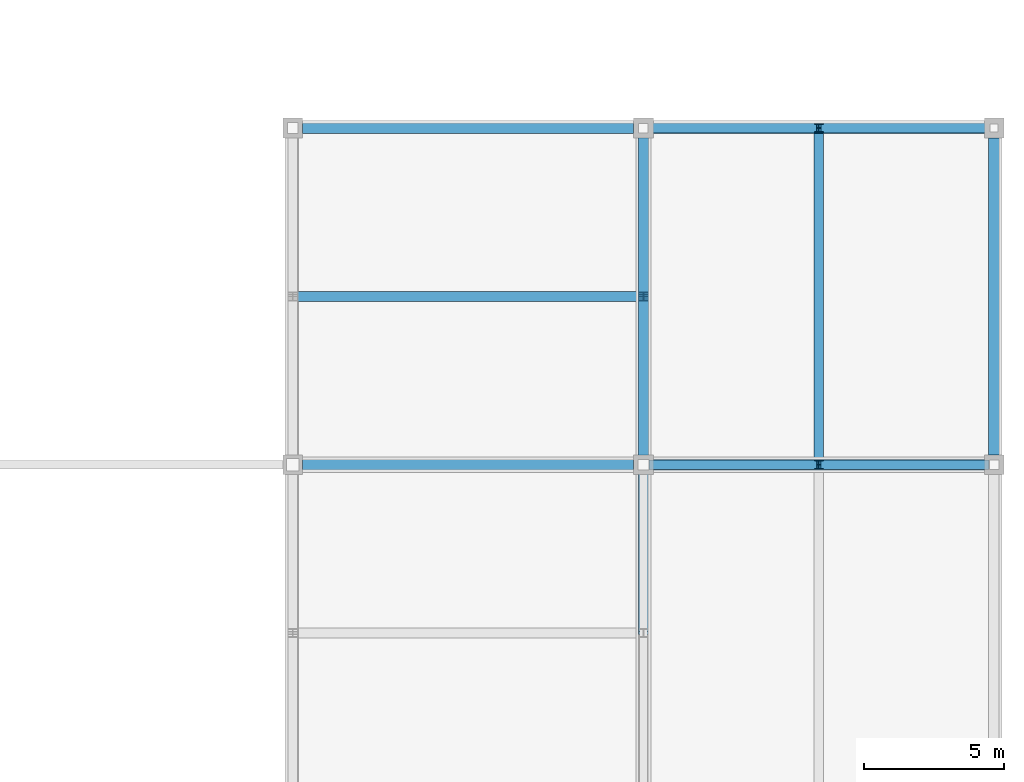
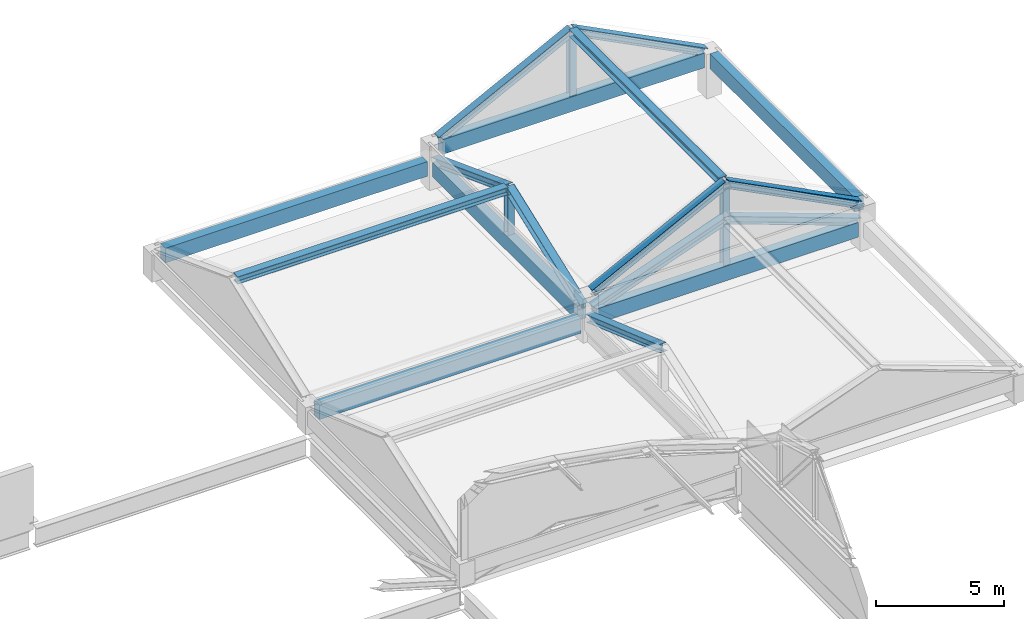
# One storey, part 87 of 117: 15 members, 6 beams.
"""IFC4 building model written with IfcOpenShell, lengths in metres."""

from ifc_helpers import new_model, si_unit, direction, frame, origin, origin_2d, place, context, subcontext, project, spatial, rectangle, i_section, extrude, material, material_profile, profile_set, type_object, element, save


model = new_model("IFC4")

# Units and contexts
model_context = context("Model", 3, precision=1e-05, world=origin(), true_north=direction((0.0, 1.0)))
body_context = subcontext(model_context, "Body", "Model", "MODEL_VIEW")
ifc_project = project(units=[si_unit("LENGTHUNIT", "METRE"), si_unit("AREAUNIT", "SQUARE_METRE"), si_unit("VOLUMEUNIT", "CUBIC_METRE"), si_unit("PLANEANGLEUNIT", "RADIAN"), si_unit("MASSUNIT", "GRAM", prefix="KILO")], contexts=[model_context])

# Site, building, storey
site_placement = place(None, origin())
site = spatial("IfcSite", under=ifc_project, at=site_placement, CompositionType="ELEMENT")
building_placement = place(site_placement, origin())
building = spatial("IfcBuilding", under=site, at=building_placement, Name="Kazenohara Klinker Stadium", CompositionType="ELEMENT")
storey_placement = place(building_placement, frame((0.0, 0.0, 31.199951171875)))
storey = spatial("IfcBuildingStorey", under=building, at=storey_placement, Name="RF", CompositionType="ELEMENT", Elevation=31.199951171875)

# Beams
ifc_material_1 = material(Name="Concrete C40/50", Category="concrete")
ifc_material_profile_1 = material_profile(ifc_material_1, rectangle(XDim=0.39990234375, YDim=0.699951171875, at=origin_2d()), Name="RC-BM-400x700")
ifc_profile_set_1 = profile_set([ifc_material_profile_1], Name="Concrete C40/50")
beam_type = type_object("IfcBeamType", Name="BM-RC04", PredefinedType="BEAM", material=ifc_profile_set_1)
for number, where, z_axis, x_axis, name in (
    (1, (187.85009765625, 144.0, 0.949951171875), (1.0, 0.0, 0.0), (0.0, 1.0, 0.0), "Turret crown eave girder BG04 RF X15-12"),
    (2, (187.85009765625, 156.0, 1.75), (1.0, 0.0, 0.0), (0.0, 1.0, 0.0), "Turret crown eave girder BG04 RF X15-13"),
):
    element("IfcBeam", number, at=place(storey_placement, frame(where, z_axis=z_axis, x_axis=x_axis)), inside=storey, type_object=beam_type, Name=name, PredefinedType="BEAM", context=body_context, shape_type="SweptSolid", body=[
        extrude(rectangle(XDim=0.39990234375, YDim=0.699951171875, at=origin_2d()), origin(), (0.0, 0.0, 1.0), 11.7998046875),
    ])
for number, where, z_axis, x_axis, name in (
    (3, (187.5, 144.35009765625, 0.949951171875), (0.0, 1.0, 0.0), (-1.0, 0.0, 0.0), "Turret crown eave girder BG04 RF Y15-12"),
    (4, (200.0, 144.35009765625, 1.75), (0.0, 1.0, 0.0), (-1.0, 0.0, 0.0), "Turret crown eave girder BG04 RF Y16-12"),
):
    element("IfcBeam", number, at=place(storey_placement, frame(where, z_axis=z_axis, x_axis=x_axis)), inside=storey, type_object=beam_type, Name=name, PredefinedType="BEAM", context=body_context, shape_type="SweptSolid", body=[
        extrude(rectangle(XDim=0.39990234375, YDim=0.699951171875, at=origin_2d()), origin(), (0.0, 0.0, 1.0), 11.2998046875),
    ])
for number, where, z_axis, x_axis, name in (
    (5, (175.35009765625, 144.0, 0.75), (1.0, 0.0, 0.0), (0.0, 1.0, 0.0), "Turret crown eave girder BG04 RF X14-12"),
    (6, (175.35009765625, 156.0, 0.949951171875), (1.0, 0.0, 0.0), (0.0, 1.0, 0.0), "Turret crown eave girder BG04 RF X14-13"),
):
    element("IfcBeam", number, at=place(storey_placement, frame(where, z_axis=z_axis, x_axis=x_axis)), inside=storey, type_object=beam_type, Name=name, PredefinedType="BEAM", context=body_context, shape_type="SweptSolid", body=[
        extrude(rectangle(XDim=0.39990234375, YDim=0.699951171875, at=origin_2d()), origin(), (0.0, 0.0, 1.0), 11.7998046875),
    ])

# Members
ifc_material_2 = material(Name="Steel S355", Category="steel")
ifc_material_profile_2 = material_profile(ifc_material_2, i_section(OverallWidth=0.35009765625, OverallDepth=0.35009765625, WebThickness=0.011962890625, FlangeThickness=0.01904296875, FilletRadius=0.012939453125, at=origin_2d()), Name="H-350x350x12x19")
ifc_profile_set_2 = profile_set([ifc_material_profile_2], Name="Steel S355")
member_type_1 = type_object("IfcMemberType", Name="MEM-CHD02", PredefinedType="CHORD", material=ifc_profile_set_2)
for number, where, z_axis, x_axis, name in (
    (7, (187.75, 144.0, 2.080078125), (0.890230058261, 0.0, 0.455511189072), (0.0, 1.0, 0.0), "Crown gable rafter GT3-NE S West"),
    (8, (199.75, 144.0, 2.080078125), (-0.890230058261, 0.0, 0.455511189072), (0.0, -1.0, 0.0), "Crown gable rafter GT3-NE S East"),
    (9, (187.75, 156.0, 2.080078125), (0.890230058261, 0.0, 0.455511189072), (0.0, 1.0, 0.0), "Crown gable rafter GT3-NE N West"),
    (10, (199.75, 156.0, 2.080078125), (-0.890230058261, 0.0, 0.455511189072), (0.0, -1.0, 0.0), "Crown gable rafter GT3-NE N East"),
):
    element("IfcMember", number, at=place(storey_placement, frame(where, z_axis=z_axis, x_axis=x_axis)), inside=storey, type_object=member_type_1, Name=name, PredefinedType="CHORD", context=body_context, shape_type="SweptSolid", body=[
        extrude(i_section(OverallWidth=0.35009765625, OverallDepth=0.35009765625, WebThickness=0.011962890625, FlangeThickness=0.01904296875, FilletRadius=0.012939453125, at=origin_2d()), origin(), (0.0, 0.0, 1.0), 6.73974609375),
    ])
member_1_placement = place(storey_placement, frame((193.75, 144.14990234375, 5.150146484375), z_axis=(0.0, 1.0, 0.0), x_axis=(-1.0, 0.0, 0.0)))
element("IfcMember", 11, at=member_1_placement, inside=storey, type_object=member_type_1, Name="Crown ridge beam GT3-NE", PredefinedType="CHORD", context=body_context, shape_type="SweptSolid", body=[
    extrude(i_section(OverallWidth=0.35009765625, OverallDepth=0.35009765625, WebThickness=0.011962890625, FlangeThickness=0.01904296875, FilletRadius=0.012939453125, at=origin_2d()), origin(), (0.0, 0.0, 1.0), 11.7001953125),
])
for number, where, z_axis, x_axis, name in (
    (12, (187.5, 144.25, 1.280029296875), (0.0, 0.935595776827, 0.35307299866), (-1.0, 0.0, 0.0), "Crown gable rafter GT3-NW E South"),
    (13, (187.5, 155.75, 1.280029296875), (0.0, -0.935595776827, 0.35307299866), (1.0, 0.0, 0.0), "Crown gable rafter GT3-NW E North"),
):
    element("IfcMember", number, at=place(storey_placement, frame(where, z_axis=z_axis, x_axis=x_axis)), inside=storey, type_object=member_type_1, Name=name, PredefinedType="CHORD", context=body_context, shape_type="SweptSolid", body=[
        extrude(i_section(OverallWidth=0.35009765625, OverallDepth=0.35009765625, WebThickness=0.011962890625, FlangeThickness=0.01904296875, FilletRadius=0.012939453125, at=origin_2d()), origin(), (0.0, 0.0, 1.0), 6.145751953125),
    ])
member_2_placement = place(storey_placement, frame((175.14990234375, 150.0, 3.449951171875), z_axis=(1.0, 0.0, 0.0), x_axis=(0.0, 1.0, 0.0)))
element("IfcMember", 14, at=member_2_placement, inside=storey, type_object=member_type_1, Name="Crown ridge beam GT3-NW", PredefinedType="CHORD", context=body_context, shape_type="SweptSolid", body=[
    extrude(i_section(OverallWidth=0.35009765625, OverallDepth=0.35009765625, WebThickness=0.011962890625, FlangeThickness=0.01904296875, FilletRadius=0.012939453125, at=origin_2d()), origin(), (0.0, 0.0, 1.0), 12.2001953125),
])
for number, where, z_axis, x_axis, name in (
    (15, (187.75, 144.0, 1.280029296875), (0.940390807712, 0.0, 0.340095764117), (0.0, 1.0, 0.0), "Crown gable rafter GT3-SE N West"),
    (16, (199.75, 144.0, 1.280029296875), (-0.940390807712, 0.0, 0.340095764117), (0.0, -1.0, 0.0), "Crown gable rafter GT3-SE N East"),
):
    element("IfcMember", number, at=place(storey_placement, frame(where, z_axis=z_axis, x_axis=x_axis)), inside=storey, type_object=member_type_1, Name=name, PredefinedType="CHORD", context=body_context, shape_type="SweptSolid", body=[
        extrude(i_section(OverallWidth=0.35009765625, OverallDepth=0.35009765625, WebThickness=0.011962890625, FlangeThickness=0.01904296875, FilletRadius=0.012939453125, at=origin_2d()), origin(), (0.0, 0.0, 1.0), 6.38037109375),
    ])
member_3_placement = place(storey_placement, frame((187.5, 143.75, 1.080078125), z_axis=(0.0, -0.943473005792, 0.331449373723), x_axis=(1.0, 0.0, 0.0)))
element("IfcMember", 17, at=member_3_placement, inside=storey, type_object=member_type_1, Name="Crown gable rafter GT3-SW E North", PredefinedType="CHORD", context=body_context, shape_type="SweptSolid", body=[
    extrude(i_section(OverallWidth=0.35009765625, OverallDepth=0.35009765625, WebThickness=0.011962890625, FlangeThickness=0.01904296875, FilletRadius=0.012939453125, at=origin_2d()), origin(), (0.0, 0.0, 1.0), 6.094482421875),
])
ifc_material_profile_3 = material_profile(ifc_material_2, i_section(OverallWidth=0.300048828125, OverallDepth=0.300048828125, WebThickness=0.010009765625, FlangeThickness=0.014892578125, FilletRadius=0.012939453125, at=origin_2d()), Name="H-300x300x10x15")
ifc_profile_set_3 = profile_set([ifc_material_profile_3], Name="Steel S355")
member_type_2 = type_object("IfcMemberType", Name="MEM-STR01", PredefinedType="STRUT", material=ifc_profile_set_3)
for number, where, z_axis, x_axis, name in (
    (18, (193.75, 144.0, 2.080078125), (0.0, 0.0, 1.0), (1.0, 0.0, 0.0), "Crown gable king-post GT3-NE S"),
    (19, (193.75, 156.0, 2.080078125), (0.0, 0.0, 1.0), (1.0, 0.0, 0.0), "Crown gable king-post GT3-NE N"),
):
    element("IfcMember", number, at=place(storey_placement, frame(where, z_axis=z_axis, x_axis=x_axis)), inside=storey, type_object=member_type_2, Name=name, PredefinedType="STRUT", context=body_context, shape_type="SweptSolid", body=[
        extrude(i_section(OverallWidth=0.300048828125, OverallDepth=0.300048828125, WebThickness=0.010009765625, FlangeThickness=0.014892578125, FilletRadius=0.012939453125, at=origin_2d()), origin(), (0.0, 0.0, 1.0), 3.070068359375),
    ])
for number, where, z_axis, x_axis, name in (
    (20, (187.5, 150.0, 1.280029296875), (0.0, 0.0, 1.0), (1.0, 0.0, 0.0), "Crown gable king-post GT3-NW E"),
    (21, (193.75, 144.0, 1.280029296875), (0.0, 0.0, 1.0), (1.0, 0.0, 0.0), "Crown gable king-post GT3-SE N"),
):
    element("IfcMember", number, at=place(storey_placement, frame(where, z_axis=z_axis, x_axis=x_axis)), inside=storey, type_object=member_type_2, Name=name, PredefinedType="STRUT", context=body_context, shape_type="SweptSolid", body=[
        extrude(i_section(OverallWidth=0.300048828125, OverallDepth=0.300048828125, WebThickness=0.010009765625, FlangeThickness=0.014892578125, FilletRadius=0.012939453125, at=origin_2d()), origin(), (0.0, 0.0, 1.0), 2.169921875),
    ])

save(model, "model.ifc")
